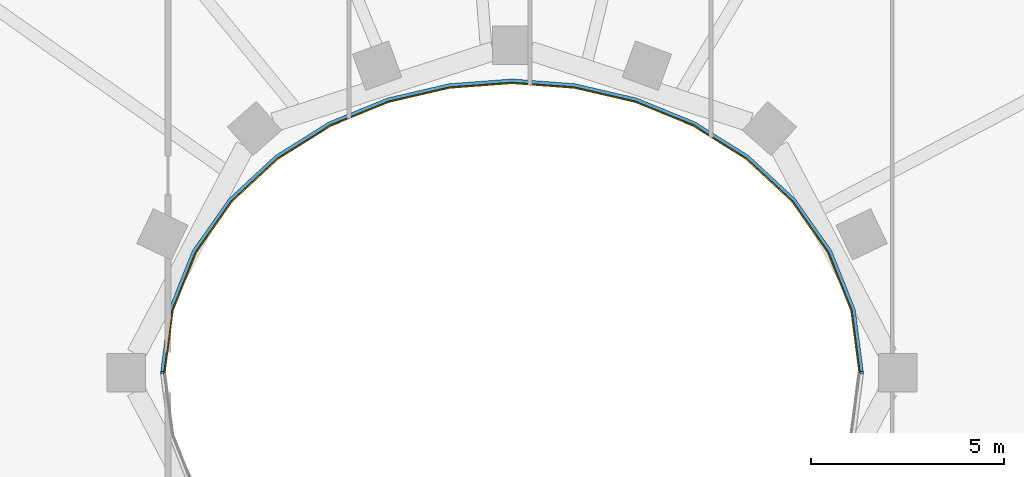
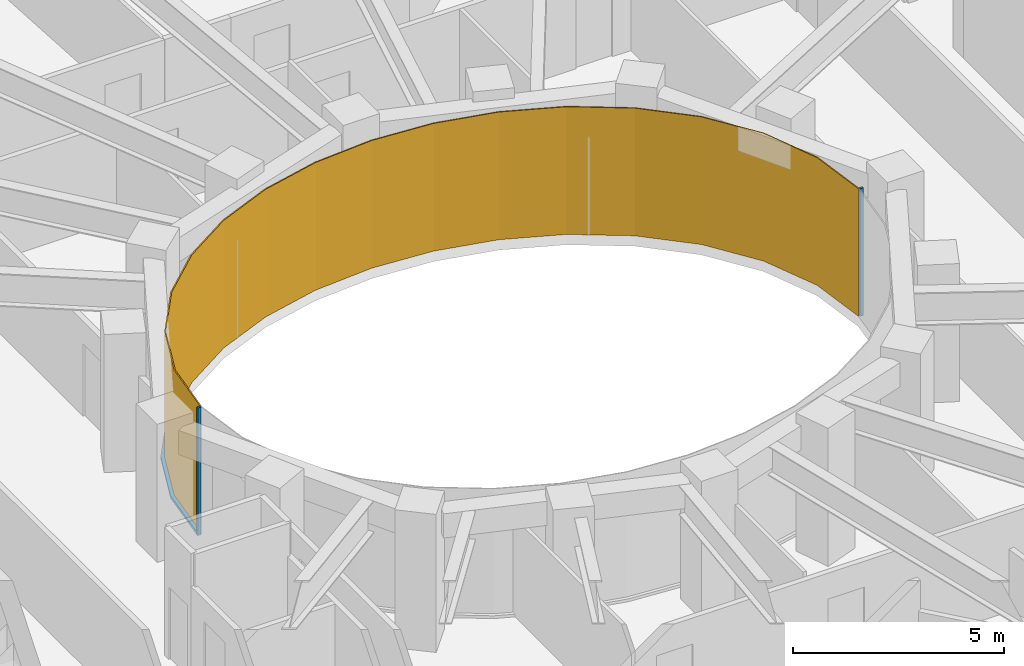
# One storey, part 12 of 16: 3 members, 1 curtain wall.
"""IFC4 building model written with IfcOpenShell, lengths in metres."""

from ifc_helpers import new_model, si_unit, direction, frame, origin, origin_2d, place, context, subcontext, project, spatial, polyline, rectangle, outline, extrude, material, layer, layer_set, material_profile, profile_set, type_object, element, aggregate, save


model = new_model("IFC4")

# Units and contexts
model_context = context("Model", 3, precision=1e-05, world=origin(), true_north=direction((0.0, 1.0)))
body_context = subcontext(model_context, "Body", "Model", "MODEL_VIEW")
ifc_project = project(units=[si_unit("LENGTHUNIT", "METRE"), si_unit("AREAUNIT", "SQUARE_METRE"), si_unit("VOLUMEUNIT", "CUBIC_METRE"), si_unit("PLANEANGLEUNIT", "RADIAN"), si_unit("MASSUNIT", "GRAM", prefix="KILO")], contexts=[model_context])

# Member
ifc_material_1 = material(Name="Steel S355 fire-resisting frame", Category="steel")
ifc_material_profile = material_profile(ifc_material_1, rectangle(XDim=0.090087890625, YDim=0.06005859375, at=origin_2d()), Name="90x60")
ifc_profile_set = profile_set([ifc_material_profile], Name="Steel S355 fire-resisting frame")
member_type_1 = type_object("IfcMemberType", Name="ENV-MULLION-W-90", PredefinedType="MULLION", material=ifc_profile_set)
site_placement = place(None, origin())
building_placement = place(site_placement, origin())
storey_placement = place(building_placement, frame((0.0, 0.0, 249.5)))
member_1_placement = place(storey_placement, frame((9.076904296875, 0.0, 0.0), z_axis=(0.0, 0.0, 1.0), x_axis=(1.0, 0.0, 0.0)))
member_1 = element("IfcMember", 1, at=member_1_placement, type_object=member_type_1, Name="Mullion W well vertex 01", PredefinedType="MULLION", context=body_context, shape_type="SweptSolid", body=[
    extrude(rectangle(XDim=0.090087890625, YDim=0.06005859375, at=origin_2d()), origin(), (0.0, 0.0, 1.0), 3.699951171875),
])

member_2_placement = place(storey_placement, frame((-9.076904296875, 0.0, 0.0), z_axis=(0.0, 0.0, 1.0), x_axis=(-1.0, 0.0, 0.0)))
member_2 = element("IfcMember", 2, at=member_2_placement, type_object=member_type_1, Name="Mullion W well vertex 17", PredefinedType="MULLION", context=body_context, shape_type="SweptSolid", body=[
    extrude(rectangle(XDim=0.090087890625, YDim=0.06005859375, at=origin_2d()), origin(), (0.0, 0.0, 1.0), 3.699951171875),
])

ifc_material_2 = material(Name="Steel S355 fire-resisting frame", Category="steel")
member_type_2 = type_object("IfcMemberType", Name="ENV-TRANSOM-W", PredefinedType="USERDEFINED", material=ifc_material_2)
member_3_placement = place(storey_placement, origin())
member_3 = element("IfcMember", 3, at=member_3_placement, type_object=member_type_2, Name="Transom W well 01-17", ObjectType="TRANSOM", PredefinedType="USERDEFINED", context=body_context, shape_type="SweptSolid", body=[
    extrude(outline(polyline([(9.119384765625, 0.02783203125), (8.910400390625, 1.63623046875), (8.29833984375, 3.167236328125), (7.35107421875, 4.5146484375), (6.1455078125, 5.6337890625), (4.75341796875, 6.50634765625), (3.233642578125, 7.127685546875), (1.635498046875, 7.498779296875), (0.0, 7.622314453125), (-1.635498046875, 7.498779296875), (-3.233642578125, 7.127685546875), (-4.75341796875, 6.50634765625), (-6.1455078125, 5.6337890625), (-7.35107421875, 4.5146484375), (-8.29833984375, 3.167236328125), (-8.910400390625, 1.63623046875), (-9.119384765625, 0.02783203125), (-9.02880859375, 0.02783203125), (-8.822509765625, 1.61328125), (-8.21875, 3.124267578125), (-7.282958984375, 4.455078125), (-6.090576171875, 5.56201171875), (-4.712158203125, 6.426025390625), (-3.206298828125, 7.04150390625), (-1.621826171875, 7.40966796875), (0.0, 7.531982421875), (1.621826171875, 7.40966796875), (3.206298828125, 7.04150390625), (4.712158203125, 6.426025390625), (6.090576171875, 5.56201171875), (7.282958984375, 4.455078125), (8.21875, 3.124267578125), (8.822509765625, 1.61328125), (9.02880859375, 0.02783203125), (9.119384765625, 0.02783203125)])), origin(), (0.0, 0.0, 1.0), 0.080078125),
])

# Site, building, storey
site = spatial("IfcSite", under=ifc_project, at=site_placement, CompositionType="ELEMENT")
building = spatial("IfcBuilding", under=site, at=building_placement, Name="Noorbagh Ring Tower", CompositionType="ELEMENT")
storey = spatial("IfcBuildingStorey", under=building, at=storey_placement, Name="L52", CompositionType="ELEMENT", Elevation=249.5)

# Curtain wall
ifc_material_3 = material(Name="Glass fire-resisting E60 laminated", Category="glass")
ifc_layer = layer(ifc_material_3, 0.031982421875)
ifc_layer_set = layer_set([ifc_layer], Name="Glass fire-resisting E60 laminated")
curtain_wall_type = type_object("IfcCurtainWallType", Name="ENV-CW-W", PredefinedType="NOTDEFINED", material=ifc_layer_set)
curtain_wall_placement = place(storey_placement, origin())
curtain_wall = element("IfcCurtainWall", 4, at=curtain_wall_placement, inside=storey, type_object=curtain_wall_type, Name="Curtain wall W W01", PredefinedType="NOTDEFINED", context=body_context, shape_type="SweptSolid", body=[
    extrude(outline(polyline([(9.0322265625, 0.0), (8.822509765625, 1.61328125), (8.21875, 3.124267578125), (7.282958984375, 4.455078125), (6.090576171875, 5.56201171875), (4.712158203125, 6.426025390625), (3.206298828125, 7.04150390625), (1.621826171875, 7.40966796875), (0.0, 7.531982421875), (-1.621826171875, 7.40966796875), (-3.206298828125, 7.04150390625), (-4.712158203125, 6.426025390625), (-6.090576171875, 5.56201171875), (-7.282958984375, 4.455078125), (-8.21875, 3.124267578125), (-8.822509765625, 1.61328125), (-9.0322265625, 0.0), (-9.0, 0.0), (-8.79150390625, 1.605224609375), (-8.1904296875, 3.10888671875), (-7.2587890625, 4.43408203125), (-6.071044921875, 5.53662109375), (-4.697509765625, 6.3974609375), (-3.196533203125, 7.010986328125), (-1.6171875, 7.3779296875), (0.0, 7.5), (1.6171875, 7.3779296875), (3.196533203125, 7.010986328125), (4.697509765625, 6.3974609375), (6.071044921875, 5.53662109375), (7.2587890625, 4.43408203125), (8.1904296875, 3.10888671875), (8.79150390625, 1.605224609375), (9.0, 0.0), (9.0322265625, 0.0)])), origin(), (0.0, 0.0, 1.0), 3.699951171875),
])

aggregate(curtain_wall, [member_1, member_2, member_3])

save(model, "model.ifc")
